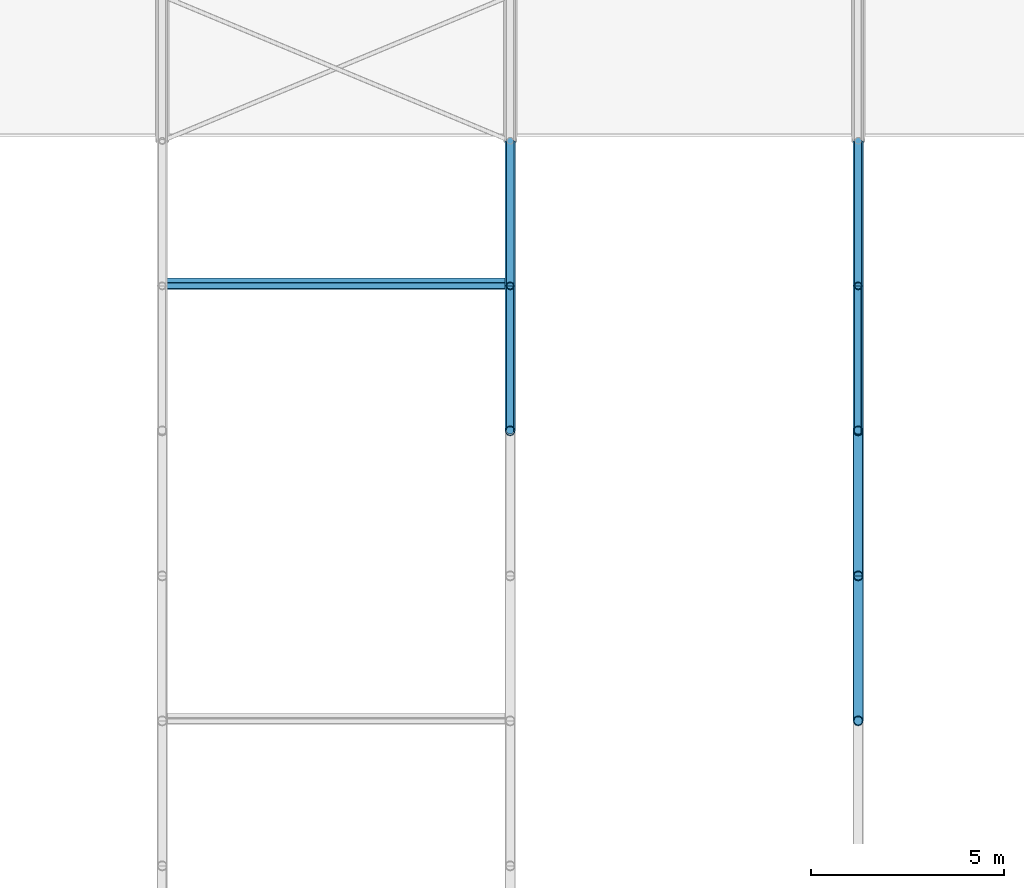
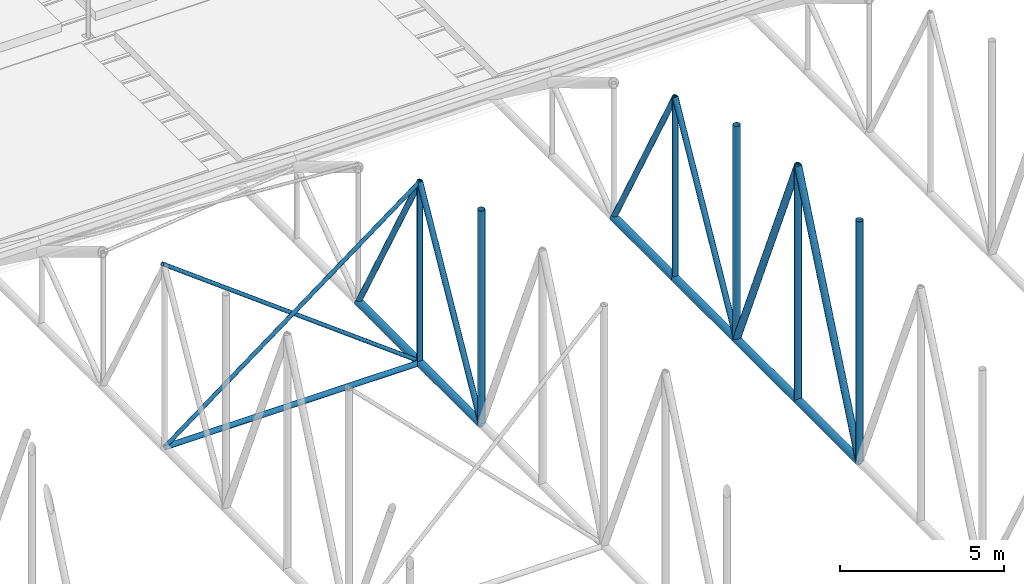
# One storey, part 56 of 153: 21 members.
"""IFC4 building model written with IfcOpenShell, lengths in metres."""

from ifc_helpers import new_model, si_unit, direction, frame, origin, origin_2d, place, context, subcontext, project, spatial, hollow_circle, extrude, material, material_profile, profile_set, type_object, element, save


model = new_model("IFC4")

# Units and contexts
model_context = context("Model", 3, precision=1e-05, world=origin(), true_north=direction((0.0, 1.0)))
body_context = subcontext(model_context, "Body", "Model", "MODEL_VIEW")
ifc_project = project(units=[si_unit("LENGTHUNIT", "METRE"), si_unit("AREAUNIT", "SQUARE_METRE"), si_unit("VOLUMEUNIT", "CUBIC_METRE"), si_unit("PLANEANGLEUNIT", "RADIAN"), si_unit("MASSUNIT", "GRAM", prefix="KILO")], contexts=[model_context])

# Site, building, storey
site_placement = place(None, origin())
site = spatial("IfcSite", under=ifc_project, at=site_placement, CompositionType="ELEMENT")
building_placement = place(site_placement, origin())
building = spatial("IfcBuilding", under=site, at=building_placement, Name="Baradari Gate Terminus", CompositionType="ELEMENT")
storey_placement = place(building_placement, frame((0.0, 0.0, 11.699951171875)))
storey = spatial("IfcBuildingStorey", under=building, at=storey_placement, Name="L02", CompositionType="ELEMENT", Elevation=11.699951171875)

# Members
ifc_material_1 = material(Name="Steel S355", Category="steel")
ifc_material_profile_1 = material_profile(ifc_material_1, hollow_circle(Radius=0.136474609375, WallThickness=0.012451171875, at=origin_2d()), Name="CHS 273x12.5")
ifc_profile_set_1 = profile_set([ifc_material_profile_1], Name="Steel S355")
member_type_1 = type_object("IfcMemberType", Name="Shed bottom chord CHS 273x12.5", PredefinedType="CHORD", material=ifc_profile_set_1)
for number, where, z_axis, x_axis, name in (
    (1, (189.0, 66.0, 0.136474609375), (0.0, 1.0, 0.0), (-1.0, 0.0, 0.0), "TR/L02/S189-BC08"),
    (2, (189.0, 69.75, 0.136474609375), (0.0, 1.0, 0.0), (-1.0, 0.0, 0.0), "TR/L02/S189-BC09"),
    (3, (198.0, 58.5, 0.136474609375), (0.0, 1.0, 0.0), (-1.0, 0.0, 0.0), "TR/L02/S198-BC06"),
    (4, (198.0, 62.25, 0.136474609375), (0.0, 1.0, 0.0), (-1.0, 0.0, 0.0), "TR/L02/S198-BC07"),
    (5, (198.0, 66.0, 0.136474609375), (0.0, 1.0, 0.0), (-1.0, 0.0, 0.0), "TR/L02/S198-BC08"),
    (6, (198.0, 69.75, 0.136474609375), (0.0, 1.0, 0.0), (-1.0, 0.0, 0.0), "TR/L02/S198-BC09"),
):
    element("IfcMember", number, at=place(storey_placement, frame(where, z_axis=z_axis, x_axis=x_axis)), inside=storey, type_object=member_type_1, Name=name, PredefinedType="CHORD", context=body_context, shape_type="SweptSolid", body=[
        extrude(hollow_circle(Radius=0.136474609375, WallThickness=0.012451171875, at=origin_2d()), origin(), (0.0, 0.0, 1.0), 3.75),
    ])
ifc_material_2 = material(Name="Steel S355", Category="steel")
ifc_material_profile_2 = material_profile(ifc_material_2, hollow_circle(Radius=0.096923828125, WallThickness=0.008056640625, at=origin_2d()), Name="CHS 193.7x8")
ifc_profile_set_2 = profile_set([ifc_material_profile_2], Name="Steel S355")
member_type_2 = type_object("IfcMemberType", Name="Shed bottom strut CHS 193.7x8", PredefinedType="STRUT", material=ifc_profile_set_2)
member_1_placement = place(storey_placement, frame((180.0, 69.75, 0.136474609375), z_axis=(1.0, 0.0, 0.0), x_axis=(0.0, 1.0, 0.0)))
element("IfcMember", 7, at=member_1_placement, inside=storey, type_object=member_type_2, Name="TR/L02/B189-ST09", PredefinedType="STRUT", context=body_context, shape_type="SweptSolid", body=[
    extrude(hollow_circle(Radius=0.096923828125, WallThickness=0.008056640625, at=origin_2d()), origin(), (0.0, 0.0, 1.0), 9.0),
])
ifc_material_3 = material(Name="Steel S355", Category="steel")
ifc_material_profile_3 = material_profile(ifc_material_3, hollow_circle(Radius=0.096923828125, WallThickness=0.008056640625, at=origin_2d()), Name="CHS 193.7x8")
ifc_profile_set_3 = profile_set([ifc_material_profile_3], Name="Steel S355")
member_type_3 = type_object("IfcMemberType", Name="Shed truss diagonal CHS 193.7x8", PredefinedType="BRACE", material=ifc_profile_set_3)
for number, where, z_axis, x_axis, name in (
    (8, (189.0, 69.75, 6.886474609375), (0.0, -0.485642931179, -0.874157276122), (1.0, 0.0, 0.0), "TR/L02/S189-SD08"),
    (9, (189.0, 69.75, 6.886474609375), (0.0, 0.485642931179, -0.874157276122), (-1.0, 0.0, 0.0), "TR/L02/S189-SD09"),
    (10, (198.0, 69.75, 6.886474609375), (0.0, -0.485642931179, -0.874157276122), (1.0, 0.0, 0.0), "TR/L02/S198-SD08"),
    (11, (198.0, 69.75, 6.886474609375), (0.0, 0.485642931179, -0.874157276122), (-1.0, 0.0, 0.0), "TR/L02/S198-SD09"),
):
    element("IfcMember", number, at=place(storey_placement, frame(where, z_axis=z_axis, x_axis=x_axis)), inside=storey, type_object=member_type_3, Name=name, PredefinedType="BRACE", context=body_context, shape_type="SweptSolid", body=[
        extrude(hollow_circle(Radius=0.096923828125, WallThickness=0.008056640625, at=origin_2d()), origin(), (0.0, 0.0, 1.0), 7.7216796875),
    ])
ifc_material_4 = material(Name="Steel S355", Category="steel")
ifc_material_profile_4 = material_profile(ifc_material_4, hollow_circle(Radius=0.122314453125, WallThickness=0.010009765625, at=origin_2d()), Name="CHS 244.5x10")
ifc_profile_set_4 = profile_set([ifc_material_profile_4], Name="Steel S355")
member_type_4 = type_object("IfcMemberType", Name="Shed truss diagonal CHS 244.5x10", PredefinedType="BRACE", material=ifc_profile_set_4)
for number, where, z_axis, x_axis, name in (
    (12, (198.0, 62.25, 8.886474609375), (0.0, -0.393919298579, -0.919145030018), (1.0, 0.0, 0.0), "TR/L02/S198-SD06"),
    (13, (198.0, 62.25, 8.886474609375), (0.0, 0.393919298579, -0.919145030018), (-1.0, 0.0, 0.0), "TR/L02/S198-SD07"),
):
    element("IfcMember", number, at=place(storey_placement, frame(where, z_axis=z_axis, x_axis=x_axis)), inside=storey, type_object=member_type_4, Name=name, PredefinedType="BRACE", context=body_context, shape_type="SweptSolid", body=[
        extrude(hollow_circle(Radius=0.122314453125, WallThickness=0.010009765625, at=origin_2d()), origin(), (0.0, 0.0, 1.0), 9.519775390625),
    ])
ifc_material_5 = material(Name="Steel S355", Category="steel")
ifc_material_profile_5 = material_profile(ifc_material_5, hollow_circle(Radius=0.096923828125, WallThickness=0.008056640625, at=origin_2d()), Name="CHS 193.7x8")
ifc_profile_set_5 = profile_set([ifc_material_profile_5], Name="Steel S355")
member_type_5 = type_object("IfcMemberType", Name="Shed truss post CHS 193.7x8", PredefinedType="POST", material=ifc_profile_set_5)
for number, where, z_axis, x_axis, name in (
    (14, (189.0, 69.75, 0.136474609375), (0.0, 0.0, 1.0), (1.0, 0.0, 0.0), "TR/L02/S189-SP09"),
    (15, (198.0, 69.75, 0.136474609375), (0.0, 0.0, 1.0), (1.0, 0.0, 0.0), "TR/L02/S198-SP09"),
):
    element("IfcMember", number, at=place(storey_placement, frame(where, z_axis=z_axis, x_axis=x_axis)), inside=storey, type_object=member_type_5, Name=name, PredefinedType="POST", context=body_context, shape_type="SweptSolid", body=[
        extrude(hollow_circle(Radius=0.096923828125, WallThickness=0.008056640625, at=origin_2d()), origin(), (0.0, 0.0, 1.0), 6.75),
    ])
ifc_material_6 = material(Name="Steel S355", Category="steel")
ifc_material_profile_6 = material_profile(ifc_material_6, hollow_circle(Radius=0.122314453125, WallThickness=0.010009765625, at=origin_2d()), Name="CHS 244.5x10")
ifc_profile_set_6 = profile_set([ifc_material_profile_6], Name="Steel S355")
member_type_6 = type_object("IfcMemberType", Name="Shed truss post CHS 244.5x10", PredefinedType="POST", material=ifc_profile_set_6)
member_2_placement = place(storey_placement, frame((189.0, 66.0, 0.136474609375), z_axis=(0.0, 0.0, 1.0), x_axis=(1.0, 0.0, 0.0)))
element("IfcMember", 16, at=member_2_placement, inside=storey, type_object=member_type_6, Name="TR/L02/S189-SP08", PredefinedType="POST", context=body_context, shape_type="SweptSolid", body=[
    extrude(hollow_circle(Radius=0.122314453125, WallThickness=0.010009765625, at=origin_2d()), origin(), (0.0, 0.0, 1.0), 8.0),
])
member_3_placement = place(storey_placement, frame((198.0, 58.5, 0.136474609375), z_axis=(0.0, 0.0, 1.0), x_axis=(1.0, 0.0, 0.0)))
element("IfcMember", 17, at=member_3_placement, inside=storey, type_object=member_type_6, Name="TR/L02/S198-SP06", PredefinedType="POST", context=body_context, shape_type="SweptSolid", body=[
    extrude(hollow_circle(Radius=0.122314453125, WallThickness=0.010009765625, at=origin_2d()), origin(), (0.0, 0.0, 1.0), 9.0),
])
member_4_placement = place(storey_placement, frame((198.0, 62.25, 0.136474609375), z_axis=(0.0, 0.0, 1.0), x_axis=(1.0, 0.0, 0.0)))
element("IfcMember", 18, at=member_4_placement, inside=storey, type_object=member_type_6, Name="TR/L02/S198-SP07", PredefinedType="POST", context=body_context, shape_type="SweptSolid", body=[
    extrude(hollow_circle(Radius=0.122314453125, WallThickness=0.010009765625, at=origin_2d()), origin(), (0.0, 0.0, 1.0), 8.75),
])
member_5_placement = place(storey_placement, frame((198.0, 66.0, 0.136474609375), z_axis=(0.0, 0.0, 1.0), x_axis=(1.0, 0.0, 0.0)))
element("IfcMember", 19, at=member_5_placement, inside=storey, type_object=member_type_6, Name="TR/L02/S198-SP08", PredefinedType="POST", context=body_context, shape_type="SweptSolid", body=[
    extrude(hollow_circle(Radius=0.122314453125, WallThickness=0.010009765625, at=origin_2d()), origin(), (0.0, 0.0, 1.0), 8.0),
])
ifc_material_7 = material(Name="Steel S355", Category="steel")
ifc_material_profile_7 = material_profile(ifc_material_7, hollow_circle(Radius=0.06982421875, WallThickness=0.008056640625, at=origin_2d()), Name="CHS 139.7x8")
ifc_profile_set_7 = profile_set([ifc_material_profile_7], Name="Steel S355")
member_type_7 = type_object("IfcMemberType", Name="Shed vertical brace CHS 139.7x8", PredefinedType="BRACE", material=ifc_profile_set_7)
for number, where, z_axis, x_axis, name in (
    (20, (180.0, 69.75, 0.136474609375), (0.8, 0.0, 0.6), (0.0, 1.0, 0.0), "TR/L02/B189-VB09A"),
    (21, (180.0, 69.8896484375, 6.886474609375), (0.8, 0.0, -0.6), (0.0, 1.0, 0.0), "TR/L02/B189-VB09B"),
):
    element("IfcMember", number, at=place(storey_placement, frame(where, z_axis=z_axis, x_axis=x_axis)), inside=storey, type_object=member_type_7, Name=name, PredefinedType="BRACE", context=body_context, shape_type="SweptSolid", body=[
        extrude(hollow_circle(Radius=0.06982421875, WallThickness=0.008056640625, at=origin_2d()), origin(), (0.0, 0.0, 1.0), 11.25),
    ])

save(model, "model.ifc")
